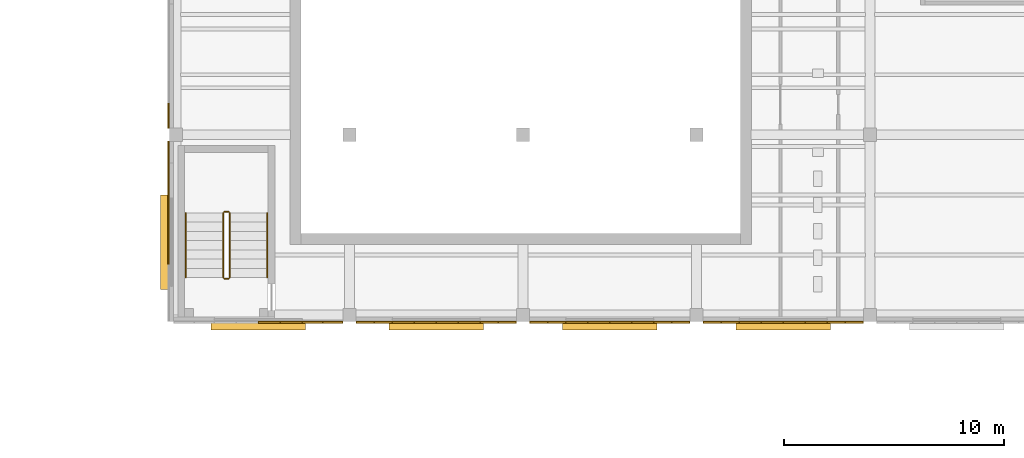
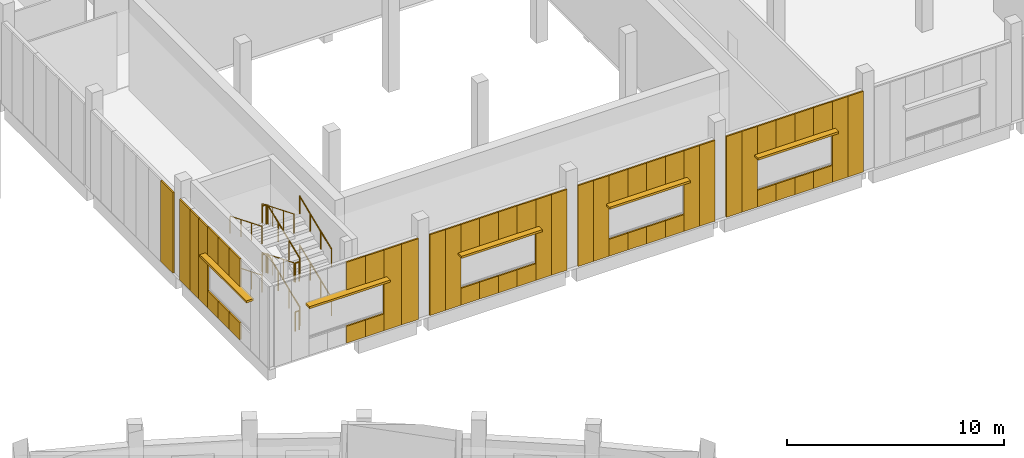
# One storey, part 106 of 112: 52 coverings, 12 railings, 5 shading devices.
"""IFC4 building model written with IfcOpenShell, lengths in metres."""

from ifc_helpers import new_model, si_unit, direction, frame, origin, origin_2d, place, context, subcontext, project, spatial, rectangle, circle, extrude, material, layer, layer_set, type_object, element, save


model = new_model("IFC4")

# Units and contexts
model_context = context("Model", 3, precision=1e-05, world=origin(), true_north=direction((0.0, 1.0)))
body_context = subcontext(model_context, "Body", "Model", "MODEL_VIEW")
ifc_project = project(units=[si_unit("LENGTHUNIT", "METRE"), si_unit("AREAUNIT", "SQUARE_METRE"), si_unit("VOLUMEUNIT", "CUBIC_METRE"), si_unit("PLANEANGLEUNIT", "RADIAN"), si_unit("MASSUNIT", "GRAM", prefix="KILO")], contexts=[model_context])

# Site, building, storey
site_placement = place(None, origin())
site = spatial("IfcSite", under=ifc_project, at=site_placement, CompositionType="ELEMENT")
building_placement = place(site_placement, origin())
building = spatial("IfcBuilding", under=site, at=building_placement, Name="Lunette Opera House", CompositionType="ELEMENT")
storey_placement = place(building_placement, frame((0.0, 0.0, 6.0)))
storey = spatial("IfcBuildingStorey", under=building, at=storey_placement, Name="L01", CompositionType="ELEMENT", Elevation=6.0)

# Coverings
ifc_material_1 = material(Name="Dark grey aluminium cassette", Category="aluminium")
ifc_layer_1 = layer(ifc_material_1, 0.080078125)
ifc_layer_set_1 = layer_set([ifc_layer_1], Name="Dark grey aluminium cassette")
covering_type = type_object("IfcCoveringType", Name="DARK METAL CASSETTE 80", PredefinedType="CLADDING", material=ifc_layer_set_1)
covering_1_placement = place(storey_placement, frame((135.9599609375, 87.364990234375, 0.0), z_axis=(0.0, 0.0, 1.0), x_axis=(0.0, -1.0, 0.0)))
element("IfcCovering", 1, at=covering_1_placement, inside=storey, type_object=covering_type, Name="Dark Metal Cassette 80 WK L01", PredefinedType="CLADDING", context=body_context, shape_type="SweptSolid", body=[
    extrude(rectangle(XDim=1.1298828125, YDim=0.080078125, at=origin_2d()), origin(), (0.0, 0.0, 1.0), 4.550048828125),
])
covering_2_placement = place(storey_placement, frame((135.9599609375, 85.712890625, 0.0), z_axis=(0.0, 0.0, 1.0), x_axis=(0.0, -1.0, 0.0)))
element("IfcCovering", 2, at=covering_2_placement, inside=storey, type_object=covering_type, Name="Dark Metal Cassette 80 WK L01", PredefinedType="CLADDING", context=body_context, shape_type="SweptSolid", body=[
    extrude(rectangle(XDim=0.97509765625, YDim=0.080078125, at=origin_2d()), origin(), (0.0, 0.0, 1.0), 4.550048828125),
])
for number, where, z_axis, x_axis, name in (
    (3, (135.9599609375, 84.822021484375, 0.0), (0.0, 0.0, 1.0), (0.0, -1.0, 0.0), "Dark Metal Cassette 80 WK L01"),
    (4, (135.9599609375, 84.01611328125, 0.0), (0.0, 0.0, 1.0), (0.0, -1.0, 0.0), "Dark Metal Cassette 80 WK L01"),
):
    element("IfcCovering", number, at=place(storey_placement, frame(where, z_axis=z_axis, x_axis=x_axis)), inside=storey, type_object=covering_type, Name=name, PredefinedType="CLADDING", context=body_context, shape_type="SweptSolid", body=[
        extrude(rectangle(XDim=0.805908203125, YDim=0.080078125, at=origin_2d()), origin(), (0.0, 0.0, 1.0), 4.550048828125),
    ])
covering_3_placement = place(storey_placement, frame((135.9599609375, 83.113037109375, 0.0), z_axis=(0.0, 0.0, 1.0), x_axis=(0.0, -1.0, 0.0)))
element("IfcCovering", 5, at=covering_3_placement, inside=storey, type_object=covering_type, Name="Dark Metal Cassette 80 WK L01", PredefinedType="CLADDING", context=body_context, shape_type="SweptSolid", body=[
    extrude(rectangle(XDim=1.0, YDim=0.080078125, at=origin_2d()), origin(), (0.0, 0.0, 1.0), 0.949951171875),
])
covering_4_placement = place(storey_placement, frame((135.9599609375, 83.113037109375, 3.0), z_axis=(0.0, 0.0, 1.0), x_axis=(0.0, -1.0, 0.0)))
element("IfcCovering", 6, at=covering_4_placement, inside=storey, type_object=covering_type, Name="Dark Metal Cassette 80 WK L01", PredefinedType="CLADDING", context=body_context, shape_type="SweptSolid", body=[
    extrude(rectangle(XDim=1.0, YDim=0.080078125, at=origin_2d()), origin(), (0.0, 0.0, 1.0), 1.550048828125),
])
covering_5_placement = place(storey_placement, frame((135.9599609375, 82.113037109375, 0.0), z_axis=(0.0, 0.0, 1.0), x_axis=(0.0, -1.0, 0.0)))
element("IfcCovering", 7, at=covering_5_placement, inside=storey, type_object=covering_type, Name="Dark Metal Cassette 80 WK L01", PredefinedType="CLADDING", context=body_context, shape_type="SweptSolid", body=[
    extrude(rectangle(XDim=1.0, YDim=0.080078125, at=origin_2d()), origin(), (0.0, 0.0, 1.0), 0.949951171875),
])
covering_6_placement = place(storey_placement, frame((135.9599609375, 82.113037109375, 3.0), z_axis=(0.0, 0.0, 1.0), x_axis=(0.0, -1.0, 0.0)))
element("IfcCovering", 8, at=covering_6_placement, inside=storey, type_object=covering_type, Name="Dark Metal Cassette 80 WK L01", PredefinedType="CLADDING", context=body_context, shape_type="SweptSolid", body=[
    extrude(rectangle(XDim=1.0, YDim=0.080078125, at=origin_2d()), origin(), (0.0, 0.0, 1.0), 1.550048828125),
])
covering_7_placement = place(storey_placement, frame((135.9599609375, 81.113037109375, 0.0), z_axis=(0.0, 0.0, 1.0), x_axis=(0.0, -1.0, 0.0)))
element("IfcCovering", 9, at=covering_7_placement, inside=storey, type_object=covering_type, Name="Dark Metal Cassette 80 WK L01", PredefinedType="CLADDING", context=body_context, shape_type="SweptSolid", body=[
    extrude(rectangle(XDim=1.0, YDim=0.080078125, at=origin_2d()), origin(), (0.0, 0.0, 1.0), 0.949951171875),
])
covering_8_placement = place(storey_placement, frame((135.9599609375, 81.113037109375, 3.0), z_axis=(0.0, 0.0, 1.0), x_axis=(0.0, -1.0, 0.0)))
element("IfcCovering", 10, at=covering_8_placement, inside=storey, type_object=covering_type, Name="Dark Metal Cassette 80 WK L01", PredefinedType="CLADDING", context=body_context, shape_type="SweptSolid", body=[
    extrude(rectangle(XDim=1.0, YDim=0.080078125, at=origin_2d()), origin(), (0.0, 0.0, 1.0), 1.550048828125),
])
covering_9_placement = place(storey_placement, frame((140.550048828125, 77.9599609375, 0.0), z_axis=(0.0, 0.0, 1.0), x_axis=(1.0, 0.0, 0.0)))
element("IfcCovering", 11, at=covering_9_placement, inside=storey, type_object=covering_type, Name="Dark Metal Cassette 80 WK L01", PredefinedType="CLADDING", context=body_context, shape_type="SweptSolid", body=[
    extrude(rectangle(XDim=1.0, YDim=0.080078125, at=origin_2d()), origin(), (0.0, 0.0, 1.0), 0.949951171875),
])
covering_10_placement = place(storey_placement, frame((140.550048828125, 77.9599609375, 3.0), z_axis=(0.0, 0.0, 1.0), x_axis=(1.0, 0.0, 0.0)))
element("IfcCovering", 12, at=covering_10_placement, inside=storey, type_object=covering_type, Name="Dark Metal Cassette 80 WK L01", PredefinedType="CLADDING", context=body_context, shape_type="SweptSolid", body=[
    extrude(rectangle(XDim=1.0, YDim=0.080078125, at=origin_2d()), origin(), (0.0, 0.0, 1.0), 1.550048828125),
])
covering_11_placement = place(storey_placement, frame((141.550048828125, 77.9599609375, 0.0), z_axis=(0.0, 0.0, 1.0), x_axis=(1.0, 0.0, 0.0)))
element("IfcCovering", 13, at=covering_11_placement, inside=storey, type_object=covering_type, Name="Dark Metal Cassette 80 WK L01", PredefinedType="CLADDING", context=body_context, shape_type="SweptSolid", body=[
    extrude(rectangle(XDim=1.0, YDim=0.080078125, at=origin_2d()), origin(), (0.0, 0.0, 1.0), 0.949951171875),
])
covering_12_placement = place(storey_placement, frame((141.550048828125, 77.9599609375, 3.0), z_axis=(0.0, 0.0, 1.0), x_axis=(1.0, 0.0, 0.0)))
element("IfcCovering", 14, at=covering_12_placement, inside=storey, type_object=covering_type, Name="Dark Metal Cassette 80 WK L01", PredefinedType="CLADDING", context=body_context, shape_type="SweptSolid", body=[
    extrude(rectangle(XDim=1.0, YDim=0.080078125, at=origin_2d()), origin(), (0.0, 0.0, 1.0), 1.550048828125),
])
for number, where, z_axis, x_axis, name in (
    (15, (142.511962890625, 77.9599609375, 0.0), (0.0, 0.0, 1.0), (1.0, 0.0, 0.0), "Dark Metal Cassette 80 WK L01"),
    (16, (143.43798828125, 77.9599609375, 0.0), (0.0, 0.0, 1.0), (1.0, 0.0, 0.0), "Dark Metal Cassette 80 WK L01"),
):
    element("IfcCovering", number, at=place(storey_placement, frame(where, z_axis=z_axis, x_axis=x_axis)), inside=storey, type_object=covering_type, Name=name, PredefinedType="CLADDING", context=body_context, shape_type="SweptSolid", body=[
        extrude(rectangle(XDim=0.925048828125, YDim=0.080078125, at=origin_2d()), origin(), (0.0, 0.0, 1.0), 4.550048828125),
    ])
for number, where, z_axis, x_axis, name in (
    (17, (144.912109375, 77.9599609375, 0.0), (0.0, 0.0, 1.0), (1.0, 0.0, 0.0), "Dark Metal Cassette 80 WK L01"),
    (18, (145.738037109375, 77.9599609375, 0.0), (0.0, 0.0, 1.0), (1.0, 0.0, 0.0), "Dark Metal Cassette 80 WK L01"),
):
    element("IfcCovering", number, at=place(storey_placement, frame(where, z_axis=z_axis, x_axis=x_axis)), inside=storey, type_object=covering_type, Name=name, PredefinedType="CLADDING", context=body_context, shape_type="SweptSolid", body=[
        extrude(rectangle(XDim=0.824951171875, YDim=0.080078125, at=origin_2d()), origin(), (0.0, 0.0, 1.0), 4.550048828125),
    ])
covering_13_placement = place(storey_placement, frame((146.64990234375, 77.9599609375, 0.0), z_axis=(0.0, 0.0, 1.0), x_axis=(1.0, 0.0, 0.0)))
element("IfcCovering", 19, at=covering_13_placement, inside=storey, type_object=covering_type, Name="Dark Metal Cassette 80 WK L01", PredefinedType="CLADDING", context=body_context, shape_type="SweptSolid", body=[
    extrude(rectangle(XDim=1.0, YDim=0.080078125, at=origin_2d()), origin(), (0.0, 0.0, 1.0), 0.949951171875),
])
covering_14_placement = place(storey_placement, frame((146.64990234375, 77.9599609375, 3.0), z_axis=(0.0, 0.0, 1.0), x_axis=(1.0, 0.0, 0.0)))
element("IfcCovering", 20, at=covering_14_placement, inside=storey, type_object=covering_type, Name="Dark Metal Cassette 80 WK L01", PredefinedType="CLADDING", context=body_context, shape_type="SweptSolid", body=[
    extrude(rectangle(XDim=1.0, YDim=0.080078125, at=origin_2d()), origin(), (0.0, 0.0, 1.0), 1.550048828125),
])
covering_15_placement = place(storey_placement, frame((147.64990234375, 77.9599609375, 0.0), z_axis=(0.0, 0.0, 1.0), x_axis=(1.0, 0.0, 0.0)))
element("IfcCovering", 21, at=covering_15_placement, inside=storey, type_object=covering_type, Name="Dark Metal Cassette 80 WK L01", PredefinedType="CLADDING", context=body_context, shape_type="SweptSolid", body=[
    extrude(rectangle(XDim=1.0, YDim=0.080078125, at=origin_2d()), origin(), (0.0, 0.0, 1.0), 0.949951171875),
])
covering_16_placement = place(storey_placement, frame((147.64990234375, 77.9599609375, 3.0), z_axis=(0.0, 0.0, 1.0), x_axis=(1.0, 0.0, 0.0)))
element("IfcCovering", 22, at=covering_16_placement, inside=storey, type_object=covering_type, Name="Dark Metal Cassette 80 WK L01", PredefinedType="CLADDING", context=body_context, shape_type="SweptSolid", body=[
    extrude(rectangle(XDim=1.0, YDim=0.080078125, at=origin_2d()), origin(), (0.0, 0.0, 1.0), 1.550048828125),
])
covering_17_placement = place(storey_placement, frame((148.64990234375, 77.9599609375, 0.0), z_axis=(0.0, 0.0, 1.0), x_axis=(1.0, 0.0, 0.0)))
element("IfcCovering", 23, at=covering_17_placement, inside=storey, type_object=covering_type, Name="Dark Metal Cassette 80 WK L01", PredefinedType="CLADDING", context=body_context, shape_type="SweptSolid", body=[
    extrude(rectangle(XDim=1.0, YDim=0.080078125, at=origin_2d()), origin(), (0.0, 0.0, 1.0), 0.949951171875),
])
covering_18_placement = place(storey_placement, frame((148.64990234375, 77.9599609375, 3.0), z_axis=(0.0, 0.0, 1.0), x_axis=(1.0, 0.0, 0.0)))
element("IfcCovering", 24, at=covering_18_placement, inside=storey, type_object=covering_type, Name="Dark Metal Cassette 80 WK L01", PredefinedType="CLADDING", context=body_context, shape_type="SweptSolid", body=[
    extrude(rectangle(XDim=1.0, YDim=0.080078125, at=origin_2d()), origin(), (0.0, 0.0, 1.0), 1.550048828125),
])
covering_19_placement = place(storey_placement, frame((149.64990234375, 77.9599609375, 0.0), z_axis=(0.0, 0.0, 1.0), x_axis=(1.0, 0.0, 0.0)))
element("IfcCovering", 25, at=covering_19_placement, inside=storey, type_object=covering_type, Name="Dark Metal Cassette 80 WK L01", PredefinedType="CLADDING", context=body_context, shape_type="SweptSolid", body=[
    extrude(rectangle(XDim=1.0, YDim=0.080078125, at=origin_2d()), origin(), (0.0, 0.0, 1.0), 0.949951171875),
])
covering_20_placement = place(storey_placement, frame((149.64990234375, 77.9599609375, 3.0), z_axis=(0.0, 0.0, 1.0), x_axis=(1.0, 0.0, 0.0)))
element("IfcCovering", 26, at=covering_20_placement, inside=storey, type_object=covering_type, Name="Dark Metal Cassette 80 WK L01", PredefinedType="CLADDING", context=body_context, shape_type="SweptSolid", body=[
    extrude(rectangle(XDim=1.0, YDim=0.080078125, at=origin_2d()), origin(), (0.0, 0.0, 1.0), 1.550048828125),
])
for number, where, z_axis, x_axis, name in (
    (27, (150.56201171875, 77.9599609375, 0.0), (0.0, 0.0, 1.0), (1.0, 0.0, 0.0), "Dark Metal Cassette 80 WK L01"),
    (28, (151.387939453125, 77.9599609375, 0.0), (0.0, 0.0, 1.0), (1.0, 0.0, 0.0), "Dark Metal Cassette 80 WK L01"),
    (29, (152.81201171875, 77.9599609375, 0.0), (0.0, 0.0, 1.0), (1.0, 0.0, 0.0), "Dark Metal Cassette 80 WK L01"),
    (30, (153.637939453125, 77.9599609375, 0.0), (0.0, 0.0, 1.0), (1.0, 0.0, 0.0), "Dark Metal Cassette 80 WK L01"),
):
    element("IfcCovering", number, at=place(storey_placement, frame(where, z_axis=z_axis, x_axis=x_axis)), inside=storey, type_object=covering_type, Name=name, PredefinedType="CLADDING", context=body_context, shape_type="SweptSolid", body=[
        extrude(rectangle(XDim=0.824951171875, YDim=0.080078125, at=origin_2d()), origin(), (0.0, 0.0, 1.0), 4.550048828125),
    ])
covering_21_placement = place(storey_placement, frame((154.550048828125, 77.9599609375, 0.0), z_axis=(0.0, 0.0, 1.0), x_axis=(1.0, 0.0, 0.0)))
element("IfcCovering", 31, at=covering_21_placement, inside=storey, type_object=covering_type, Name="Dark Metal Cassette 80 WK L01", PredefinedType="CLADDING", context=body_context, shape_type="SweptSolid", body=[
    extrude(rectangle(XDim=1.0, YDim=0.080078125, at=origin_2d()), origin(), (0.0, 0.0, 1.0), 0.949951171875),
])
covering_22_placement = place(storey_placement, frame((154.550048828125, 77.9599609375, 3.0), z_axis=(0.0, 0.0, 1.0), x_axis=(1.0, 0.0, 0.0)))
element("IfcCovering", 32, at=covering_22_placement, inside=storey, type_object=covering_type, Name="Dark Metal Cassette 80 WK L01", PredefinedType="CLADDING", context=body_context, shape_type="SweptSolid", body=[
    extrude(rectangle(XDim=1.0, YDim=0.080078125, at=origin_2d()), origin(), (0.0, 0.0, 1.0), 1.550048828125),
])
covering_23_placement = place(storey_placement, frame((155.550048828125, 77.9599609375, 0.0), z_axis=(0.0, 0.0, 1.0), x_axis=(1.0, 0.0, 0.0)))
element("IfcCovering", 33, at=covering_23_placement, inside=storey, type_object=covering_type, Name="Dark Metal Cassette 80 WK L01", PredefinedType="CLADDING", context=body_context, shape_type="SweptSolid", body=[
    extrude(rectangle(XDim=1.0, YDim=0.080078125, at=origin_2d()), origin(), (0.0, 0.0, 1.0), 0.949951171875),
])
covering_24_placement = place(storey_placement, frame((155.550048828125, 77.9599609375, 3.0), z_axis=(0.0, 0.0, 1.0), x_axis=(1.0, 0.0, 0.0)))
element("IfcCovering", 34, at=covering_24_placement, inside=storey, type_object=covering_type, Name="Dark Metal Cassette 80 WK L01", PredefinedType="CLADDING", context=body_context, shape_type="SweptSolid", body=[
    extrude(rectangle(XDim=1.0, YDim=0.080078125, at=origin_2d()), origin(), (0.0, 0.0, 1.0), 1.550048828125),
])
covering_25_placement = place(storey_placement, frame((156.550048828125, 77.9599609375, 0.0), z_axis=(0.0, 0.0, 1.0), x_axis=(1.0, 0.0, 0.0)))
element("IfcCovering", 35, at=covering_25_placement, inside=storey, type_object=covering_type, Name="Dark Metal Cassette 80 WK L01", PredefinedType="CLADDING", context=body_context, shape_type="SweptSolid", body=[
    extrude(rectangle(XDim=1.0, YDim=0.080078125, at=origin_2d()), origin(), (0.0, 0.0, 1.0), 0.949951171875),
])
covering_26_placement = place(storey_placement, frame((156.550048828125, 77.9599609375, 3.0), z_axis=(0.0, 0.0, 1.0), x_axis=(1.0, 0.0, 0.0)))
element("IfcCovering", 36, at=covering_26_placement, inside=storey, type_object=covering_type, Name="Dark Metal Cassette 80 WK L01", PredefinedType="CLADDING", context=body_context, shape_type="SweptSolid", body=[
    extrude(rectangle(XDim=1.0, YDim=0.080078125, at=origin_2d()), origin(), (0.0, 0.0, 1.0), 1.550048828125),
])
covering_27_placement = place(storey_placement, frame((157.550048828125, 77.9599609375, 0.0), z_axis=(0.0, 0.0, 1.0), x_axis=(1.0, 0.0, 0.0)))
element("IfcCovering", 37, at=covering_27_placement, inside=storey, type_object=covering_type, Name="Dark Metal Cassette 80 WK L01", PredefinedType="CLADDING", context=body_context, shape_type="SweptSolid", body=[
    extrude(rectangle(XDim=1.0, YDim=0.080078125, at=origin_2d()), origin(), (0.0, 0.0, 1.0), 0.949951171875),
])
covering_28_placement = place(storey_placement, frame((157.550048828125, 77.9599609375, 3.0), z_axis=(0.0, 0.0, 1.0), x_axis=(1.0, 0.0, 0.0)))
element("IfcCovering", 38, at=covering_28_placement, inside=storey, type_object=covering_type, Name="Dark Metal Cassette 80 WK L01", PredefinedType="CLADDING", context=body_context, shape_type="SweptSolid", body=[
    extrude(rectangle(XDim=1.0, YDim=0.080078125, at=origin_2d()), origin(), (0.0, 0.0, 1.0), 1.550048828125),
])
for number, where, z_axis, x_axis, name in (
    (39, (158.462890625, 77.9599609375, 0.0), (0.0, 0.0, 1.0), (1.0, 0.0, 0.0), "Dark Metal Cassette 80 WK L01"),
    (40, (159.287109375, 77.9599609375, 0.0), (0.0, 0.0, 1.0), (1.0, 0.0, 0.0), "Dark Metal Cassette 80 WK L01"),
    (41, (160.712890625, 77.9599609375, 0.0), (0.0, 0.0, 1.0), (1.0, 0.0, 0.0), "Dark Metal Cassette 80 WK L01"),
    (42, (161.5380859375, 77.9599609375, 0.0), (0.0, 0.0, 1.0), (1.0, 0.0, 0.0), "Dark Metal Cassette 80 WK L01"),
):
    element("IfcCovering", number, at=place(storey_placement, frame(where, z_axis=z_axis, x_axis=x_axis)), inside=storey, type_object=covering_type, Name=name, PredefinedType="CLADDING", context=body_context, shape_type="SweptSolid", body=[
        extrude(rectangle(XDim=0.824951171875, YDim=0.080078125, at=origin_2d()), origin(), (0.0, 0.0, 1.0), 4.550048828125),
    ])
covering_29_placement = place(storey_placement, frame((162.449951171875, 77.9599609375, 0.0), z_axis=(0.0, 0.0, 1.0), x_axis=(1.0, 0.0, 0.0)))
element("IfcCovering", 43, at=covering_29_placement, inside=storey, type_object=covering_type, Name="Dark Metal Cassette 80 WK L01", PredefinedType="CLADDING", context=body_context, shape_type="SweptSolid", body=[
    extrude(rectangle(XDim=1.0, YDim=0.080078125, at=origin_2d()), origin(), (0.0, 0.0, 1.0), 0.949951171875),
])
covering_30_placement = place(storey_placement, frame((162.449951171875, 77.9599609375, 3.0), z_axis=(0.0, 0.0, 1.0), x_axis=(1.0, 0.0, 0.0)))
element("IfcCovering", 44, at=covering_30_placement, inside=storey, type_object=covering_type, Name="Dark Metal Cassette 80 WK L01", PredefinedType="CLADDING", context=body_context, shape_type="SweptSolid", body=[
    extrude(rectangle(XDim=1.0, YDim=0.080078125, at=origin_2d()), origin(), (0.0, 0.0, 1.0), 1.550048828125),
])
covering_31_placement = place(storey_placement, frame((163.449951171875, 77.9599609375, 0.0), z_axis=(0.0, 0.0, 1.0), x_axis=(1.0, 0.0, 0.0)))
element("IfcCovering", 45, at=covering_31_placement, inside=storey, type_object=covering_type, Name="Dark Metal Cassette 80 WK L01", PredefinedType="CLADDING", context=body_context, shape_type="SweptSolid", body=[
    extrude(rectangle(XDim=1.0, YDim=0.080078125, at=origin_2d()), origin(), (0.0, 0.0, 1.0), 0.949951171875),
])
covering_32_placement = place(storey_placement, frame((163.449951171875, 77.9599609375, 3.0), z_axis=(0.0, 0.0, 1.0), x_axis=(1.0, 0.0, 0.0)))
element("IfcCovering", 46, at=covering_32_placement, inside=storey, type_object=covering_type, Name="Dark Metal Cassette 80 WK L01", PredefinedType="CLADDING", context=body_context, shape_type="SweptSolid", body=[
    extrude(rectangle(XDim=1.0, YDim=0.080078125, at=origin_2d()), origin(), (0.0, 0.0, 1.0), 1.550048828125),
])
covering_33_placement = place(storey_placement, frame((164.449951171875, 77.9599609375, 0.0), z_axis=(0.0, 0.0, 1.0), x_axis=(1.0, 0.0, 0.0)))
element("IfcCovering", 47, at=covering_33_placement, inside=storey, type_object=covering_type, Name="Dark Metal Cassette 80 WK L01", PredefinedType="CLADDING", context=body_context, shape_type="SweptSolid", body=[
    extrude(rectangle(XDim=1.0, YDim=0.080078125, at=origin_2d()), origin(), (0.0, 0.0, 1.0), 0.949951171875),
])
covering_34_placement = place(storey_placement, frame((164.449951171875, 77.9599609375, 3.0), z_axis=(0.0, 0.0, 1.0), x_axis=(1.0, 0.0, 0.0)))
element("IfcCovering", 48, at=covering_34_placement, inside=storey, type_object=covering_type, Name="Dark Metal Cassette 80 WK L01", PredefinedType="CLADDING", context=body_context, shape_type="SweptSolid", body=[
    extrude(rectangle(XDim=1.0, YDim=0.080078125, at=origin_2d()), origin(), (0.0, 0.0, 1.0), 1.550048828125),
])
covering_35_placement = place(storey_placement, frame((165.449951171875, 77.9599609375, 0.0), z_axis=(0.0, 0.0, 1.0), x_axis=(1.0, 0.0, 0.0)))
element("IfcCovering", 49, at=covering_35_placement, inside=storey, type_object=covering_type, Name="Dark Metal Cassette 80 WK L01", PredefinedType="CLADDING", context=body_context, shape_type="SweptSolid", body=[
    extrude(rectangle(XDim=1.0, YDim=0.080078125, at=origin_2d()), origin(), (0.0, 0.0, 1.0), 0.949951171875),
])
covering_36_placement = place(storey_placement, frame((165.449951171875, 77.9599609375, 3.0), z_axis=(0.0, 0.0, 1.0), x_axis=(1.0, 0.0, 0.0)))
element("IfcCovering", 50, at=covering_36_placement, inside=storey, type_object=covering_type, Name="Dark Metal Cassette 80 WK L01", PredefinedType="CLADDING", context=body_context, shape_type="SweptSolid", body=[
    extrude(rectangle(XDim=1.0, YDim=0.080078125, at=origin_2d()), origin(), (0.0, 0.0, 1.0), 1.550048828125),
])
for number, where, z_axis, x_axis, name in (
    (51, (166.363037109375, 77.9599609375, 0.0), (0.0, 0.0, 1.0), (1.0, 0.0, 0.0), "Dark Metal Cassette 80 WK L01"),
    (52, (167.18798828125, 77.9599609375, 0.0), (0.0, 0.0, 1.0), (1.0, 0.0, 0.0), "Dark Metal Cassette 80 WK L01"),
):
    element("IfcCovering", number, at=place(storey_placement, frame(where, z_axis=z_axis, x_axis=x_axis)), inside=storey, type_object=covering_type, Name=name, PredefinedType="CLADDING", context=body_context, shape_type="SweptSolid", body=[
        extrude(rectangle(XDim=0.824951171875, YDim=0.080078125, at=origin_2d()), origin(), (0.0, 0.0, 1.0), 4.550048828125),
    ])

# Railings
ifc_material_2 = material(Name="Steel S355", Category="steel")
railing_type_1 = type_object("IfcRailingType", Name="STAIR GUARD 1100", PredefinedType="GUARDRAIL", material=ifc_material_2)
railing_1_placement = place(storey_placement, frame((138.75, 80.0, 0.171875)))
element("IfcRailing", 53, at=railing_1_placement, inside=storey, type_object=railing_type_1, Name="L01 ST18 stair guard 1", PredefinedType="GUARDRAIL", context=body_context, shape_type="SweptSolid", body=[
    extrude(circle(Radius=0.02392578125, at=origin_2d()), frame((0.0, 0.0, 1.076171875), z_axis=(0.0, 0.925500427511, 0.378746562595), x_axis=(-1.0, 0.0, 0.0)), (0.0, 0.0, 1.0), 3.176513671875),
    extrude(circle(Radius=0.02099609375, at=origin_2d()), origin(), (0.0, 0.0, 1.0), 1.052001953125),
    extrude(circle(Radius=0.02099609375, at=origin_2d()), frame((0.0, 0.97998046875, 0.401123046875)), (0.0, 0.0, 1.0), 1.052001953125),
    extrude(circle(Radius=0.02099609375, at=origin_2d()), frame((0.0, 1.9599609375, 0.802001953125)), (0.0, 0.0, 1.0), 1.052001953125),
    extrude(circle(Radius=0.02099609375, at=origin_2d()), frame((0.0, 2.93994140625, 1.203125)), (0.0, 0.0, 1.0), 1.052001953125),
])
railing_2_placement = place(storey_placement, frame((138.699951171875, 82.989990234375, 1.375)))
element("IfcRailing", 54, at=railing_2_placement, inside=storey, type_object=railing_type_1, Name="L01 ST18 stair guard 2", PredefinedType="GUARDRAIL", context=body_context, shape_type="SweptSolid", body=[
    extrude(circle(Radius=0.02392578125, at=origin_2d()), frame((0.0, 0.0, 1.076171875), z_axis=(-1.0, 0.0, 0.0), x_axis=(0.0, -1.0, 0.0)), (0.0, 0.0, 1.0), 0.199951171875),
    extrude(circle(Radius=0.02099609375, at=origin_2d()), origin(), (0.0, 0.0, 1.0), 1.052001953125),
    extrude(circle(Radius=0.02099609375, at=origin_2d()), frame((-0.199951171875, 0.0, 0.0)), (0.0, 0.0, 1.0), 1.052001953125),
])
railing_3_placement = place(storey_placement, frame((138.449951171875, 82.93994140625, 1.546875)))
element("IfcRailing", 55, at=railing_3_placement, inside=storey, type_object=railing_type_1, Name="L01 ST18 stair guard 3", PredefinedType="GUARDRAIL", context=body_context, shape_type="SweptSolid", body=[
    extrude(circle(Radius=0.02392578125, at=origin_2d()), frame((0.0, 0.0, 1.076171875), z_axis=(0.0, -0.925500427511, 0.378746562595), x_axis=(1.0, 0.0, 0.0)), (0.0, 0.0, 1.0), 3.176513671875),
    extrude(circle(Radius=0.02099609375, at=origin_2d()), origin(), (0.0, 0.0, 1.0), 1.052001953125),
    extrude(circle(Radius=0.02099609375, at=origin_2d()), frame((0.0, -0.97998046875, 0.401123046875)), (0.0, 0.0, 1.0), 1.052001953125),
    extrude(circle(Radius=0.02099609375, at=origin_2d()), frame((0.0, -1.9599609375, 0.802001953125)), (0.0, 0.0, 1.0), 1.052001953125),
    extrude(circle(Radius=0.02099609375, at=origin_2d()), frame((0.0, -2.93994140625, 1.203125)), (0.0, 0.0, 1.0), 1.052001953125),
])
railing_4_placement = place(storey_placement, frame((138.699951171875, 79.949951171875, 2.75)))
element("IfcRailing", 56, at=railing_4_placement, inside=storey, type_object=railing_type_1, Name="L01 ST18 stair guard 4", PredefinedType="GUARDRAIL", context=body_context, shape_type="SweptSolid", body=[
    extrude(circle(Radius=0.02392578125, at=origin_2d()), frame((0.0, 0.0, 1.076171875), z_axis=(-1.0, 0.0, 0.0), x_axis=(0.0, -1.0, 0.0)), (0.0, 0.0, 1.0), 0.199951171875),
    extrude(circle(Radius=0.02099609375, at=origin_2d()), origin(), (0.0, 0.0, 1.0), 1.052001953125),
    extrude(circle(Radius=0.02099609375, at=origin_2d()), frame((-0.199951171875, 0.0, 0.0)), (0.0, 0.0, 1.0), 1.052001953125),
])
railing_5_placement = place(storey_placement, frame((138.75, 80.0, 2.921875)))
element("IfcRailing", 57, at=railing_5_placement, inside=storey, type_object=railing_type_1, Name="L01 ST18 stair guard 5", PredefinedType="GUARDRAIL", context=body_context, shape_type="SweptSolid", body=[
    extrude(circle(Radius=0.02392578125, at=origin_2d()), frame((0.0, 0.0, 1.076171875), z_axis=(0.0, 0.925500427511, 0.378746562595), x_axis=(-1.0, 0.0, 0.0)), (0.0, 0.0, 1.0), 3.176513671875),
    extrude(circle(Radius=0.02099609375, at=origin_2d()), origin(), (0.0, 0.0, 1.0), 1.052001953125),
    extrude(circle(Radius=0.02099609375, at=origin_2d()), frame((0.0, 0.97998046875, 0.401123046875)), (0.0, 0.0, 1.0), 1.052001953125),
    extrude(circle(Radius=0.02099609375, at=origin_2d()), frame((0.0, 1.9599609375, 0.802001953125)), (0.0, 0.0, 1.0), 1.052001953125),
    extrude(circle(Radius=0.02099609375, at=origin_2d()), frame((0.0, 2.93994140625, 1.203125)), (0.0, 0.0, 1.0), 1.052001953125),
])
railing_6_placement = place(storey_placement, frame((138.699951171875, 82.989990234375, 4.125)))
element("IfcRailing", 58, at=railing_6_placement, inside=storey, type_object=railing_type_1, Name="L01 ST18 stair guard 6", PredefinedType="GUARDRAIL", context=body_context, shape_type="SweptSolid", body=[
    extrude(circle(Radius=0.02392578125, at=origin_2d()), frame((0.0, 0.0, 1.076171875), z_axis=(-1.0, 0.0, 0.0), x_axis=(0.0, -1.0, 0.0)), (0.0, 0.0, 1.0), 0.199951171875),
    extrude(circle(Radius=0.02099609375, at=origin_2d()), origin(), (0.0, 0.0, 1.0), 1.052001953125),
    extrude(circle(Radius=0.02099609375, at=origin_2d()), frame((-0.199951171875, 0.0, 0.0)), (0.0, 0.0, 1.0), 1.052001953125),
])
railing_7_placement = place(storey_placement, frame((138.449951171875, 82.93994140625, 4.296875)))
element("IfcRailing", 59, at=railing_7_placement, inside=storey, type_object=railing_type_1, Name="L01 ST18 stair guard 7", PredefinedType="GUARDRAIL", context=body_context, shape_type="SweptSolid", body=[
    extrude(circle(Radius=0.02392578125, at=origin_2d()), frame((0.0, 0.0, 1.076171875), z_axis=(0.0, -0.925500427511, 0.378746562595), x_axis=(1.0, 0.0, 0.0)), (0.0, 0.0, 1.0), 3.176513671875),
    extrude(circle(Radius=0.02099609375, at=origin_2d()), origin(), (0.0, 0.0, 1.0), 1.052001953125),
    extrude(circle(Radius=0.02099609375, at=origin_2d()), frame((0.0, -0.97998046875, 0.401123046875)), (0.0, 0.0, 1.0), 1.052001953125),
    extrude(circle(Radius=0.02099609375, at=origin_2d()), frame((0.0, -1.9599609375, 0.802001953125)), (0.0, 0.0, 1.0), 1.052001953125),
    extrude(circle(Radius=0.02099609375, at=origin_2d()), frame((0.0, -2.93994140625, 1.203125)), (0.0, 0.0, 1.0), 1.052001953125),
])
railing_8_placement = place(storey_placement, frame((138.699951171875, 79.949951171875, 0.0)))
element("IfcRailing", 60, at=railing_8_placement, inside=storey, type_object=railing_type_1, Name="L01 ST18 stair guard 8", PredefinedType="GUARDRAIL", context=body_context, shape_type="SweptSolid", body=[
    extrude(circle(Radius=0.02392578125, at=origin_2d()), frame((0.0, 0.0, 1.076171875), z_axis=(-1.0, 0.0, 0.0), x_axis=(0.0, -1.0, 0.0)), (0.0, 0.0, 1.0), 0.199951171875),
    extrude(circle(Radius=0.02099609375, at=origin_2d()), origin(), (0.0, 0.0, 1.0), 1.052001953125),
    extrude(circle(Radius=0.02099609375, at=origin_2d()), frame((-0.199951171875, 0.0, 0.0)), (0.0, 0.0, 1.0), 1.052001953125),
])
ifc_material_3 = material(Name="Steel S355", Category="steel")
railing_type_2 = type_object("IfcRailingType", Name="STAIR HANDRAIL 1000", PredefinedType="HANDRAIL", material=ifc_material_3)
railing_9_placement = place(storey_placement, frame((140.449951171875, 80.0, 0.171875)))
element("IfcRailing", 61, at=railing_9_placement, inside=storey, type_object=railing_type_2, Name="L01 ST18 stair handrail 1", PredefinedType="HANDRAIL", context=body_context, shape_type="SweptSolid", body=[
    extrude(circle(Radius=0.02392578125, at=origin_2d()), frame((0.0, 0.0, 0.97607421875), z_axis=(0.0, 0.925500427511, 0.378746562595), x_axis=(-1.0, 0.0, 0.0)), (0.0, 0.0, 1.0), 3.176513671875),
    extrude(circle(Radius=0.02099609375, at=origin_2d()), origin(), (0.0, 0.0, 1.0), 0.951904296875),
    extrude(circle(Radius=0.02099609375, at=origin_2d()), frame((0.0, 0.97998046875, 0.401123046875)), (0.0, 0.0, 1.0), 0.951904296875),
    extrude(circle(Radius=0.02099609375, at=origin_2d()), frame((0.0, 1.9599609375, 0.802001953125)), (0.0, 0.0, 1.0), 0.951904296875),
    extrude(circle(Radius=0.02099609375, at=origin_2d()), frame((0.0, 2.93994140625, 1.203125)), (0.0, 0.0, 1.0), 0.951904296875),
])
railing_10_placement = place(storey_placement, frame((136.75, 82.93994140625, 1.546875)))
element("IfcRailing", 62, at=railing_10_placement, inside=storey, type_object=railing_type_2, Name="L01 ST18 stair handrail 2", PredefinedType="HANDRAIL", context=body_context, shape_type="SweptSolid", body=[
    extrude(circle(Radius=0.02392578125, at=origin_2d()), frame((0.0, 0.0, 0.97607421875), z_axis=(0.0, -0.925500427511, 0.378746562595), x_axis=(1.0, 0.0, 0.0)), (0.0, 0.0, 1.0), 3.176513671875),
    extrude(circle(Radius=0.02099609375, at=origin_2d()), origin(), (0.0, 0.0, 1.0), 0.951904296875),
    extrude(circle(Radius=0.02099609375, at=origin_2d()), frame((0.0, -0.97998046875, 0.401123046875)), (0.0, 0.0, 1.0), 0.951904296875),
    extrude(circle(Radius=0.02099609375, at=origin_2d()), frame((0.0, -1.9599609375, 0.802001953125)), (0.0, 0.0, 1.0), 0.951904296875),
    extrude(circle(Radius=0.02099609375, at=origin_2d()), frame((0.0, -2.93994140625, 1.203125)), (0.0, 0.0, 1.0), 0.951904296875),
])
railing_11_placement = place(storey_placement, frame((140.449951171875, 80.0, 2.921875)))
element("IfcRailing", 63, at=railing_11_placement, inside=storey, type_object=railing_type_2, Name="L01 ST18 stair handrail 3", PredefinedType="HANDRAIL", context=body_context, shape_type="SweptSolid", body=[
    extrude(circle(Radius=0.02392578125, at=origin_2d()), frame((0.0, 0.0, 0.97607421875), z_axis=(0.0, 0.925500427511, 0.378746562595), x_axis=(-1.0, 0.0, 0.0)), (0.0, 0.0, 1.0), 3.176513671875),
    extrude(circle(Radius=0.02099609375, at=origin_2d()), origin(), (0.0, 0.0, 1.0), 0.951904296875),
    extrude(circle(Radius=0.02099609375, at=origin_2d()), frame((0.0, 0.97998046875, 0.401123046875)), (0.0, 0.0, 1.0), 0.951904296875),
    extrude(circle(Radius=0.02099609375, at=origin_2d()), frame((0.0, 1.9599609375, 0.802001953125)), (0.0, 0.0, 1.0), 0.951904296875),
    extrude(circle(Radius=0.02099609375, at=origin_2d()), frame((0.0, 2.93994140625, 1.203125)), (0.0, 0.0, 1.0), 0.951904296875),
])
railing_12_placement = place(storey_placement, frame((136.75, 82.93994140625, 4.296875)))
element("IfcRailing", 64, at=railing_12_placement, inside=storey, type_object=railing_type_2, Name="L01 ST18 stair handrail 4", PredefinedType="HANDRAIL", context=body_context, shape_type="SweptSolid", body=[
    extrude(circle(Radius=0.02392578125, at=origin_2d()), frame((0.0, 0.0, 0.97607421875), z_axis=(0.0, -0.925500427511, 0.378746562595), x_axis=(1.0, 0.0, 0.0)), (0.0, 0.0, 1.0), 3.176513671875),
    extrude(circle(Radius=0.02099609375, at=origin_2d()), origin(), (0.0, 0.0, 1.0), 0.951904296875),
    extrude(circle(Radius=0.02099609375, at=origin_2d()), frame((0.0, -0.97998046875, 0.401123046875)), (0.0, 0.0, 1.0), 0.951904296875),
    extrude(circle(Radius=0.02099609375, at=origin_2d()), frame((0.0, -1.9599609375, 0.802001953125)), (0.0, 0.0, 1.0), 0.951904296875),
    extrude(circle(Radius=0.02099609375, at=origin_2d()), frame((0.0, -2.93994140625, 1.203125)), (0.0, 0.0, 1.0), 0.951904296875),
])

# Shading devices
ifc_material_4 = material(Name="Powder-coated aluminium", Category="aluminium")
ifc_layer_2 = layer(ifc_material_4, 0.1201171875)
ifc_layer_set_2 = layer_set([ifc_layer_2], Name="Powder-coated aluminium")
shading_device_type = type_object("IfcShadingDeviceType", Name="WINDOW HOOD 400 X 4300", PredefinedType="USERDEFINED", material=ifc_layer_set_2)
for number, where, z_axis, x_axis, name in (
    (65, (135.800048828125, 81.613037109375, 2.8798828125), (0.0, 0.0, 1.0), (-1.0, 0.0, 0.0), "Window hood WW-N2010"),
    (66, (140.050048828125, 77.800048828125, 2.8798828125), (0.0, 0.0, 1.0), (0.0, -1.0, 0.0), "Window hood WW-N2011"),
    (67, (148.14990234375, 77.800048828125, 2.8798828125), (0.0, 0.0, 1.0), (0.0, -1.0, 0.0), "Window hood WW-N2012"),
    (68, (156.050048828125, 77.800048828125, 2.8798828125), (0.0, 0.0, 1.0), (0.0, -1.0, 0.0), "Window hood WW-N2013"),
    (69, (163.949951171875, 77.800048828125, 2.8798828125), (0.0, 0.0, 1.0), (0.0, -1.0, 0.0), "Window hood WW-N2014"),
):
    element("IfcShadingDevice", number, at=place(storey_placement, frame(where, z_axis=z_axis, x_axis=x_axis)), inside=storey, type_object=shading_device_type, Name=name, ObjectType="WINDOW HOOD", PredefinedType="USERDEFINED", context=body_context, shape_type="SweptSolid", body=[
        extrude(rectangle(XDim=0.39990234375, YDim=4.300048828125, at=origin_2d()), origin(), (0.0, 0.0, 1.0), 0.1201171875),
    ])

save(model, "model.ifc")
